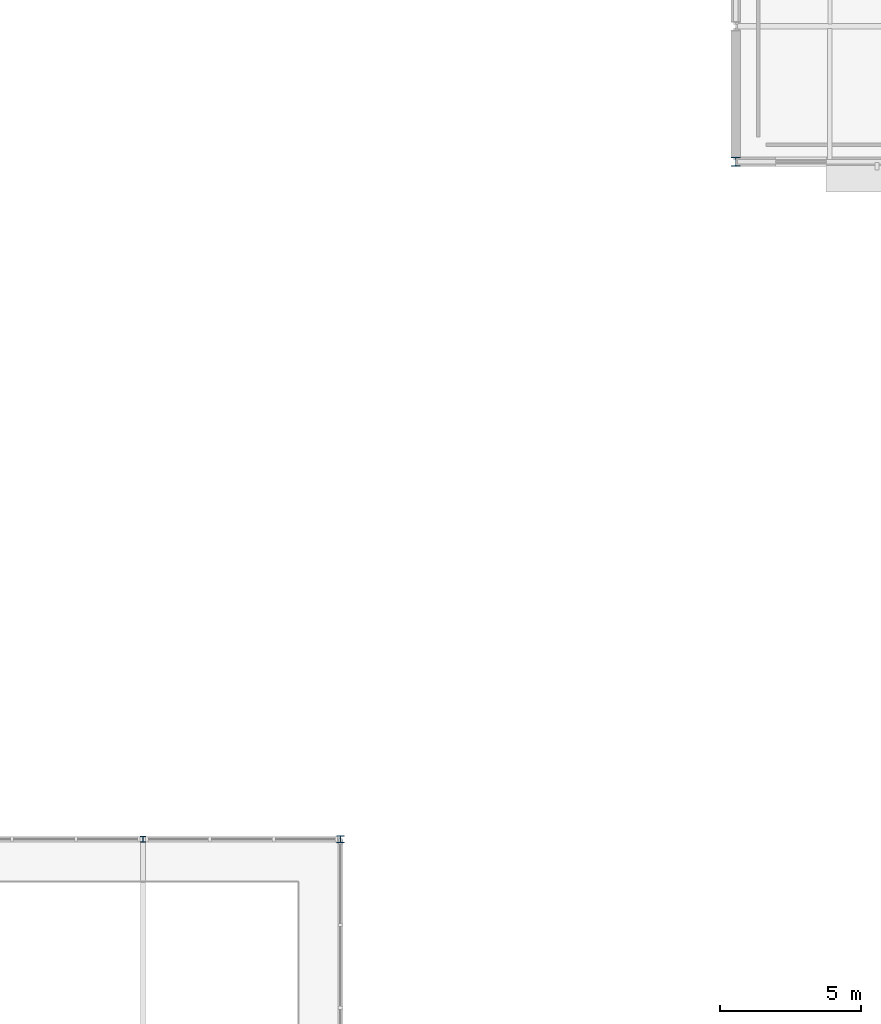
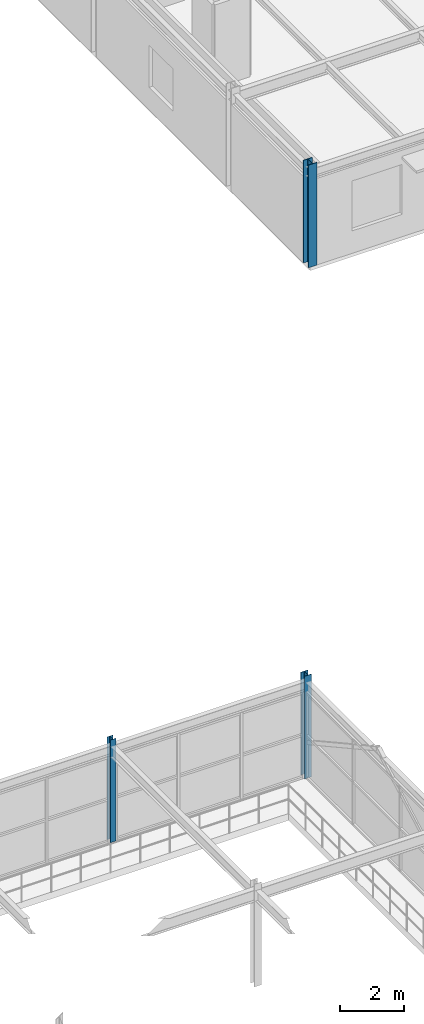
# One storey, part 15 of 98: 3 columns.
"""IFC4 building model written with IfcOpenShell, lengths in metres."""

import ifcopenshell
import ifcopenshell.guid

model = None  # the IFC model being written
_history = None  # IfcOwnerHistory: only IFC2X3 demands one
_inside = {}  # id of a spatial element -> (the spatial element, [elements in it])
_under = {}  # id of a project, library or spatial element -> (it, [spatial elements below it])
_declared = {}  # id of a project -> (the project, [libraries it declares])
_typed = {}  # id of a type object -> (the type object, [elements of that type])
_made_of = {}  # id of a material, layer set ... -> (it, [elements and type objects made of it])


def new_model(schema):
    """Start an empty IFC model of exactly this schema.

    Asked for "IFC4X3", IfcOpenShell would pick the latest addendum, in which some entities
    have other attributes; the version numbers below select the first issue.
    IFC2X3 requires an IfcOwnerHistory on every rooted entity: one is made here for all.
    """
    global model, _history
    if schema == "IFC4X3":
        model = ifcopenshell.file(schema_version=(4, 3, 0, 0))
    else:
        model = ifcopenshell.file(schema=schema)
    _inside.clear()
    _under.clear()
    _declared.clear()
    _typed.clear()
    _made_of.clear()
    _history = None
    if model.schema == "IFC2X3":
        org = make("IfcOrganization", Name="unknown")
        user = make(
            "IfcPersonAndOrganization",
            ThePerson=make("IfcPerson", FamilyName="unknown"),
            TheOrganization=org,
        )
        app = make(
            "IfcApplication",
            ApplicationDeveloper=org,
            Version="unknown",
            ApplicationFullName="unknown",
            ApplicationIdentifier="unknown",
        )
        _history = make(
            "IfcOwnerHistory",
            OwningUser=user,
            OwningApplication=app,
            ChangeAction="ADDED",
            CreationDate=0,
        )
    return model


def make(cls, **values):
    """One entity of the class cls with the attributes given. An attribute that is None is left unset."""
    return model.create_entity(
        cls, **{name: value for name, value in values.items() if value is not None}
    )


def rooted(cls, **values):
    """An entity with a GlobalId (a new one), such as an element, a storey or a relation."""
    return make(cls, GlobalId=ifcopenshell.guid.new(), OwnerHistory=_history, **values)


def si_unit(unit_type, name, prefix=None):
    """IfcSIUnit, for example si_unit("LENGTHUNIT", "METRE", prefix="MILLI")."""
    return make("IfcSIUnit", UnitType=unit_type, Prefix=prefix, Name=name)


def derived_unit(unit_type, elements):
    """IfcDerivedUnit: a product of units, each with its exponent."""
    return make(
        "IfcDerivedUnit",
        Elements=[
            make("IfcDerivedUnitElement", Unit=unit, Exponent=power)
            for unit, power in elements
        ],
        UnitType=unit_type,
    )


def assignment(units):
    """IfcUnitAssignment: the units of a project."""
    return None if units is None else make("IfcUnitAssignment", Units=units)


def point(xyz):
    """IfcCartesianPoint."""
    return None if xyz is None else make("IfcCartesianPoint", Coordinates=xyz)


def direction(xyz):
    """IfcDirection."""
    return None if xyz is None else make("IfcDirection", DirectionRatios=xyz)


def frame(location, z_axis=None, x_axis=None):
    """IfcAxis2Placement3D, a coordinate frame: its origin and axes. An axis left out is left unset."""
    return make(
        "IfcAxis2Placement3D",
        Location=point(location),
        Axis=direction(z_axis),
        RefDirection=direction(x_axis),
    )


def frame_2d(location, x_axis=None):
    """IfcAxis2Placement2D, a coordinate frame in the plane: its origin and x axis."""
    return make(
        "IfcAxis2Placement2D", Location=point(location), RefDirection=direction(x_axis)
    )


def origin():
    """The frame at (0, 0, 0) with its axes left unset."""
    return frame((0.0, 0.0, 0.0))


def origin_2d_with_axis():
    """The frame at (0, 0) in the plane with the x axis (1, 0) written out."""
    return frame_2d((0.0, 0.0), x_axis=(1.0, 0.0))


def place(relative_to, where):
    """IfcLocalPlacement: puts the frame where relative to a parent placement (None: the world)."""
    return make(
        "IfcLocalPlacement", PlacementRelTo=relative_to, RelativePlacement=where
    )


def context(
    kind, dimensions, precision=None, world=None, true_north=None, identifier=None
):
    """IfcGeometricRepresentationContext, for example the 3D "Model" context."""
    return make(
        "IfcGeometricRepresentationContext",
        ContextIdentifier=identifier,
        ContextType=kind,
        CoordinateSpaceDimension=dimensions,
        Precision=precision,
        WorldCoordinateSystem=world,
        TrueNorth=true_north,
    )


def subcontext(parent, identifier, kind, view, scale=None):
    """IfcGeometricRepresentationSubContext, for example "Body" below "Model"."""
    return make(
        "IfcGeometricRepresentationSubContext",
        ContextIdentifier=identifier,
        ContextType=kind,
        ParentContext=parent,
        TargetScale=scale,
        TargetView=view,
    )


def project(units=None, contexts=None):
    """IfcProject with its units and contexts."""
    return rooted(
        "IfcProject",
        Name="project",
        RepresentationContexts=contexts,
        UnitsInContext=assignment(units),
    )


def spatial(cls, under=None, at=None, **own):
    """A site, building, storey or space (cls), placed at a placement, below another one or the project."""
    s = rooted(cls, ObjectPlacement=at, **own)
    if under is not None:
        _under.setdefault(under.id(), (under, []))[1].append(s)
    return s


def profile(cls, at=None, kind="AREA", **sizes):
    """A parametric profile (cls). Its sizes go by their IFC names, for example OverallWidth=200.0."""
    return make(cls, ProfileType=kind, Position=at, **sizes)


def i_section(**sizes):
    """IfcIShapeProfileDef."""
    return profile("IfcIShapeProfileDef", **sizes)


def extrude(swept, where, along, depth):
    """IfcExtrudedAreaSolid: the profile swept, set in the frame where, extruded along a direction by depth."""
    return make(
        "IfcExtrudedAreaSolid",
        SweptArea=swept,
        Position=where,
        ExtrudedDirection=direction(along),
        Depth=depth,
    )


def shape(context_of_items, identifier, shape_type, items):
    """IfcShapeRepresentation: the items that make up one representation, for example the "Body"."""
    return make(
        "IfcShapeRepresentation",
        ContextOfItems=context_of_items,
        RepresentationIdentifier=identifier,
        RepresentationType=shape_type,
        Items=items,
    )


def material(Name=None, Category=None):
    """IfcMaterial."""
    return make("IfcMaterial", Name=Name, Category=Category)


def material_profile(
    of_material, cross_section, Name=None, Category=None, Priority=None
):
    """IfcMaterialProfile: a cross section and its material."""
    return make(
        "IfcMaterialProfile",
        Name=Name,
        Material=of_material,
        Profile=cross_section,
        Priority=Priority,
        Category=Category,
    )


def profile_set(profiles, Name=None, composite=None):
    """IfcMaterialProfileSet."""
    return make(
        "IfcMaterialProfileSet",
        Name=Name,
        MaterialProfiles=profiles,
        CompositeProfile=composite,
    )


def made_of(thing, what):
    """Note that an element or type object is made of a material, layer set ...; save() writes the relation."""
    if what is not None:
        _made_of.setdefault(what.id(), (what, []))[1].append(thing)
    return thing


def type_object(cls, material=None, **own):
    """A type object (cls), such as IfcWallType, which elements share."""
    return made_of(rooted(cls, **own), material)


def element(
    cls,
    number,
    at=None,
    inside=None,
    cuts=None,
    type_object=None,
    material=None,
    context=None,
    identifier="Body",
    shape_type=None,
    held_by="IfcProductDefinitionShape",
    body=None,
    shapes=None,
    **own,
):
    """One element of the class cls, such as IfcWall. Its Tag is "e" and its number.

    at: its placement. inside: the storey or other place that contains it. cuts: it is an
    opening in that element (IfcRelVoidsElement). A single representation is given by context,
    identifier, shape_type and body (its items); several are given by shapes. held_by: the class
    of the entity that holds the representations. save() writes the other relations.
    """
    e = rooted(cls, Tag="e%d" % number, ObjectPlacement=at, **own)
    if body is not None:
        shapes = [shape(context, identifier, shape_type, body)]
    if shapes is not None:
        e.Representation = make(held_by, Representations=shapes)
    if inside is not None:
        _inside.setdefault(inside.id(), (inside, []))[1].append(e)
    if cuts is not None:
        rooted(
            "IfcRelVoidsElement", RelatingBuildingElement=cuts, RelatedOpeningElement=e
        )
    if type_object is not None:
        _typed.setdefault(type_object.id(), (type_object, []))[1].append(e)
    return made_of(e, material)


def aggregate(whole, parts):
    """IfcRelAggregates: a whole, such as a stair, and the parts it consists of."""
    return rooted("IfcRelAggregates", RelatingObject=whole, RelatedObjects=parts)


def save(model, path):
    """Write the relations noted so far, then the file.

    IfcRelAggregates (storeys below a building ...), IfcRelContainedInSpatialStructure (elements
    in a storey), IfcRelDefinesByType, IfcRelAssociatesMaterial and IfcRelDeclares: one each for
    every whole, place, type object, material and project.
    """
    for whole, parts in _under.values():
        aggregate(whole, parts)
    for where, things in _inside.values():
        rooted(
            "IfcRelContainedInSpatialStructure",
            RelatedElements=things,
            RelatingStructure=where,
        )
    for kind, things in _typed.values():
        rooted("IfcRelDefinesByType", RelatedObjects=things, RelatingType=kind)
    for what, things in _made_of.values():
        rooted("IfcRelAssociatesMaterial", RelatedObjects=things, RelatingMaterial=what)
    for by, libraries in _declared.values():
        rooted("IfcRelDeclares", RelatingContext=by, RelatedDefinitions=libraries)
    model.write(path)


model = new_model("IFC4")

# Units and contexts
model_context = context("Model", 3, precision=1e-05, world=origin(), true_north=direction((0.0, 1.0)))
body_context = subcontext(model_context, "Body", "Model", "MODEL_VIEW")
ifc_project = project(units=[si_unit("LENGTHUNIT", "METRE"), si_unit("AREAUNIT", "SQUARE_METRE"), si_unit("VOLUMEUNIT", "CUBIC_METRE"), si_unit("PLANEANGLEUNIT", "RADIAN"), si_unit("MASSUNIT", "GRAM", prefix="KILO"), derived_unit("THERMALTRANSMITTANCEUNIT", [(si_unit("POWERUNIT", "WATT"), 1), (si_unit("LENGTHUNIT", "METRE"), -2), (si_unit("THERMODYNAMICTEMPERATUREUNIT", "KELVIN"), -1)])], contexts=[model_context])

# Site, building, storey
site_placement = place(None, origin())
site = spatial("IfcSite", under=ifc_project, at=site_placement, CompositionType="ELEMENT")
building_placement = place(site_placement, origin())
building = spatial("IfcBuilding", under=site, at=building_placement, Name="Cinnabar Yard Market Hall", CompositionType="ELEMENT")
storey_placement = place(building_placement, frame((0.0, 0.0, 4.5)))
storey = spatial("IfcBuildingStorey", under=building, at=storey_placement, Name="L01", CompositionType="ELEMENT", Elevation=4.5)

# Columns
ifc_material_1 = material(Name="Steel Grade 350 (350 MPa)", Category="steel")
ifc_material_profile_1 = material_profile(ifc_material_1, i_section(OverallWidth=0.311279296875, OverallDepth=0.3271484375, WebThickness=0.015625, FlangeThickness=0.02490234375, FilletRadius=0.0166015625, at=origin_2d_with_axis()), Name="310UC158")
ifc_profile_set_1 = profile_set([ifc_material_profile_1], Name="Steel Grade 350 (350 MPa)")
column_type_1 = type_object("IfcColumnType", Name="COL-C06E", PredefinedType="COLUMN", material=ifc_profile_set_1)
column_1_placement = place(storey_placement, frame((66.0, 108.0, 0.0), z_axis=(0.0, 0.0, 1.0), x_axis=(1.0, 0.0, 0.0)))
element("IfcColumn", 1, at=column_1_placement, inside=storey, type_object=column_type_1, Name="Wing Column V3-01-01 L01", PredefinedType="COLUMN", context=body_context, shape_type="SweptSolid", body=[
    extrude(i_section(OverallWidth=0.311279296875, OverallDepth=0.3271484375, WebThickness=0.015625, FlangeThickness=0.02490234375, FilletRadius=0.0166015625, at=origin_2d_with_axis()), origin(), (0.0, 0.0, 1.0), 3.89990234375),
])
ifc_material_2 = material(Name="Steel Grade 300 (300 MPa)", Category="steel")
ifc_material_profile_2 = material_profile(ifc_material_2, i_section(OverallWidth=0.25390625, OverallDepth=0.25390625, WebThickness=0.008544921875, FlangeThickness=0.01416015625, FilletRadius=0.013916015625, at=origin_2d_with_axis()), Name="250UC72.9")
ifc_profile_set_2 = profile_set([ifc_material_profile_2], Name="Steel Grade 300 (300 MPa)")
column_type_2 = type_object("IfcColumnType", Name="COL-C11E", PredefinedType="COLUMN", material=ifc_profile_set_2)
column_2_placement = place(storey_placement, frame((52.0, 84.0, 0.0), z_axis=(0.0, 0.0, 1.0), x_axis=(1.0, 0.0, 0.0)))
element("IfcColumn", 2, at=column_2_placement, inside=storey, type_object=column_type_2, Name="Pavilion Column V2-07-05 L01", PredefinedType="COLUMN", context=body_context, shape_type="SweptSolid", body=[
    extrude(i_section(OverallWidth=0.25390625, OverallDepth=0.25390625, WebThickness=0.008544921875, FlangeThickness=0.01416015625, FilletRadius=0.013916015625, at=origin_2d_with_axis()), origin(), (0.0, 0.0, 1.0), 3.89990234375),
])
ifc_material_profile_3 = material_profile(ifc_material_2, i_section(OverallWidth=0.205078125, OverallDepth=0.209716796875, WebThickness=0.00927734375, FlangeThickness=0.01416015625, FilletRadius=0.011474609375, at=origin_2d_with_axis()), Name="200UC59.5")
ifc_profile_set_3 = profile_set([ifc_material_profile_3], Name="Steel Grade 300 (300 MPa)")
column_type_3 = type_object("IfcColumnType", Name="COL-C12E", PredefinedType="COLUMN", material=ifc_profile_set_3)
column_3_placement = place(storey_placement, frame((45.0, 84.0, 0.0), z_axis=(0.0, 0.0, 1.0), x_axis=(1.0, 0.0, 0.0)))
element("IfcColumn", 3, at=column_3_placement, inside=storey, type_object=column_type_3, Name="Pavilion Column V2-06-05 L01", PredefinedType="COLUMN", context=body_context, shape_type="SweptSolid", body=[
    extrude(i_section(OverallWidth=0.205078125, OverallDepth=0.209716796875, WebThickness=0.00927734375, FlangeThickness=0.01416015625, FilletRadius=0.011474609375, at=origin_2d_with_axis()), origin(), (0.0, 0.0, 1.0), 3.89990234375),
])

save(model, "model.ifc")
